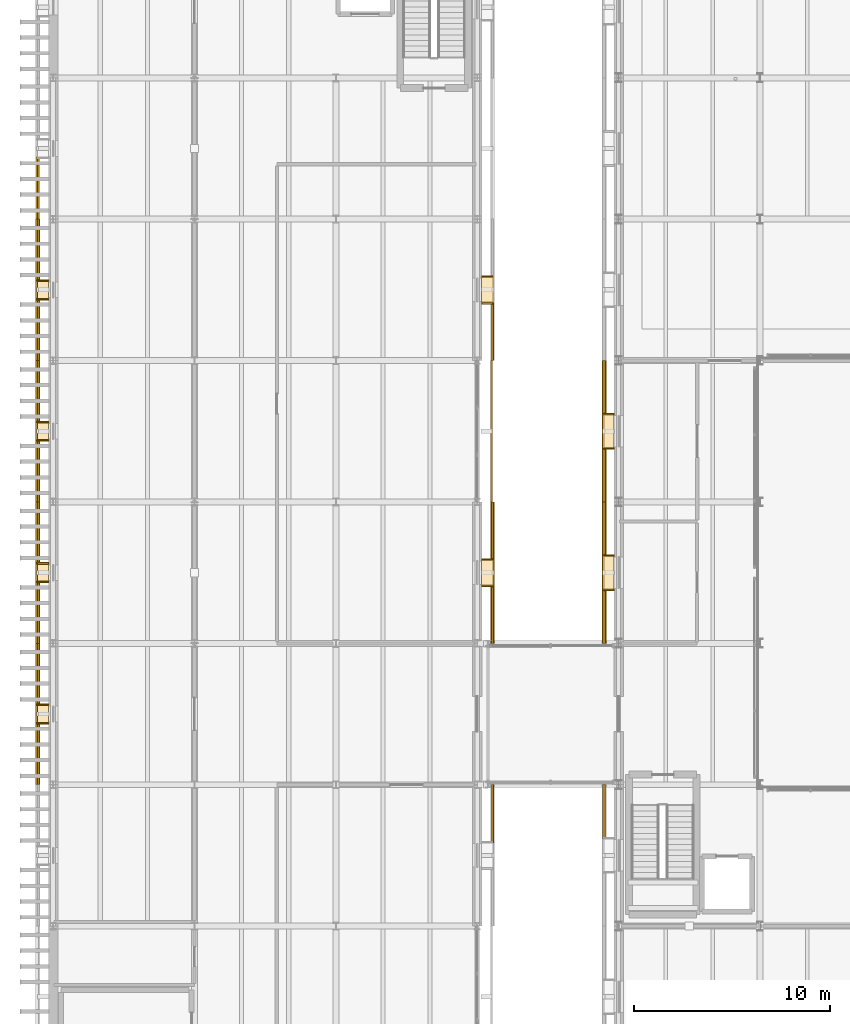
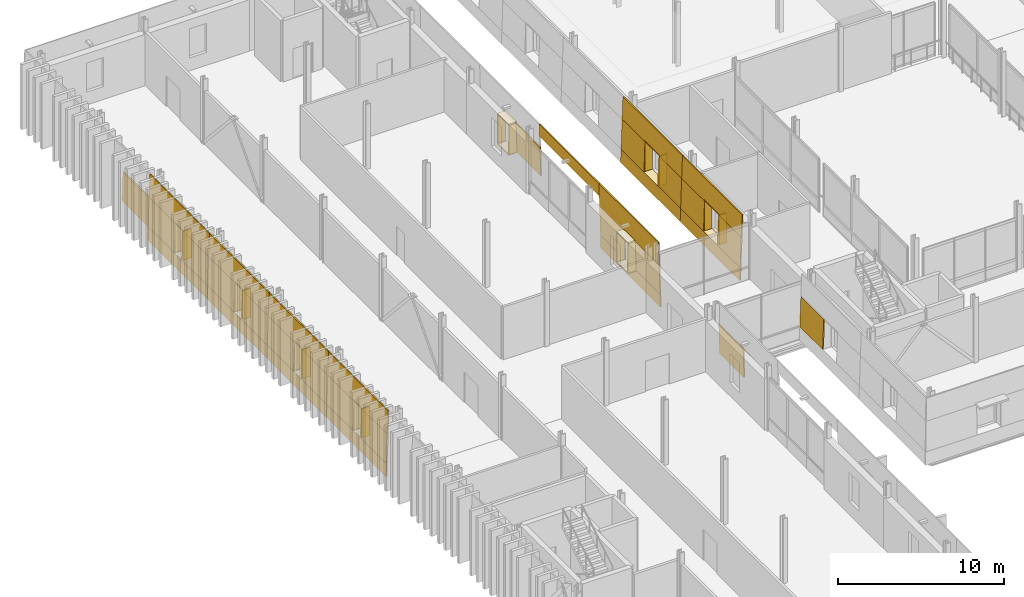
# One storey, part 108 of 121: 65 coverings.
"""IFC4 building model written with IfcOpenShell, lengths in metres."""

import ifcopenshell
import ifcopenshell.guid

model = None  # the IFC model being written
_history = None  # IfcOwnerHistory: only IFC2X3 demands one
_inside = {}  # id of a spatial element -> (the spatial element, [elements in it])
_under = {}  # id of a project, library or spatial element -> (it, [spatial elements below it])
_declared = {}  # id of a project -> (the project, [libraries it declares])
_typed = {}  # id of a type object -> (the type object, [elements of that type])
_made_of = {}  # id of a material, layer set ... -> (it, [elements and type objects made of it])


def new_model(schema):
    """Start an empty IFC model of exactly this schema.

    Asked for "IFC4X3", IfcOpenShell would pick the latest addendum, in which some entities
    have other attributes; the version numbers below select the first issue.
    IFC2X3 requires an IfcOwnerHistory on every rooted entity: one is made here for all.
    """
    global model, _history
    if schema == "IFC4X3":
        model = ifcopenshell.file(schema_version=(4, 3, 0, 0))
    else:
        model = ifcopenshell.file(schema=schema)
    _inside.clear()
    _under.clear()
    _declared.clear()
    _typed.clear()
    _made_of.clear()
    _history = None
    if model.schema == "IFC2X3":
        org = make("IfcOrganization", Name="unknown")
        user = make(
            "IfcPersonAndOrganization",
            ThePerson=make("IfcPerson", FamilyName="unknown"),
            TheOrganization=org,
        )
        app = make(
            "IfcApplication",
            ApplicationDeveloper=org,
            Version="unknown",
            ApplicationFullName="unknown",
            ApplicationIdentifier="unknown",
        )
        _history = make(
            "IfcOwnerHistory",
            OwningUser=user,
            OwningApplication=app,
            ChangeAction="ADDED",
            CreationDate=0,
        )
    return model


def make(cls, **values):
    """One entity of the class cls with the attributes given. An attribute that is None is left unset."""
    return model.create_entity(
        cls, **{name: value for name, value in values.items() if value is not None}
    )


def rooted(cls, **values):
    """An entity with a GlobalId (a new one), such as an element, a storey or a relation."""
    return make(cls, GlobalId=ifcopenshell.guid.new(), OwnerHistory=_history, **values)


def si_unit(unit_type, name, prefix=None):
    """IfcSIUnit, for example si_unit("LENGTHUNIT", "METRE", prefix="MILLI")."""
    return make("IfcSIUnit", UnitType=unit_type, Prefix=prefix, Name=name)


def assignment(units):
    """IfcUnitAssignment: the units of a project."""
    return None if units is None else make("IfcUnitAssignment", Units=units)


def point(xyz):
    """IfcCartesianPoint."""
    return None if xyz is None else make("IfcCartesianPoint", Coordinates=xyz)


def direction(xyz):
    """IfcDirection."""
    return None if xyz is None else make("IfcDirection", DirectionRatios=xyz)


def frame(location, z_axis=None, x_axis=None):
    """IfcAxis2Placement3D, a coordinate frame: its origin and axes. An axis left out is left unset."""
    return make(
        "IfcAxis2Placement3D",
        Location=point(location),
        Axis=direction(z_axis),
        RefDirection=direction(x_axis),
    )


def origin():
    """The frame at (0, 0, 0) with its axes left unset."""
    return frame((0.0, 0.0, 0.0))


def place(relative_to, where):
    """IfcLocalPlacement: puts the frame where relative to a parent placement (None: the world)."""
    return make(
        "IfcLocalPlacement", PlacementRelTo=relative_to, RelativePlacement=where
    )


def context(
    kind, dimensions, precision=None, world=None, true_north=None, identifier=None
):
    """IfcGeometricRepresentationContext, for example the 3D "Model" context."""
    return make(
        "IfcGeometricRepresentationContext",
        ContextIdentifier=identifier,
        ContextType=kind,
        CoordinateSpaceDimension=dimensions,
        Precision=precision,
        WorldCoordinateSystem=world,
        TrueNorth=true_north,
    )


def subcontext(parent, identifier, kind, view, scale=None):
    """IfcGeometricRepresentationSubContext, for example "Body" below "Model"."""
    return make(
        "IfcGeometricRepresentationSubContext",
        ContextIdentifier=identifier,
        ContextType=kind,
        ParentContext=parent,
        TargetScale=scale,
        TargetView=view,
    )


def project(units=None, contexts=None):
    """IfcProject with its units and contexts."""
    return rooted(
        "IfcProject",
        Name="project",
        RepresentationContexts=contexts,
        UnitsInContext=assignment(units),
    )


def spatial(cls, under=None, at=None, **own):
    """A site, building, storey or space (cls), placed at a placement, below another one or the project."""
    s = rooted(cls, ObjectPlacement=at, **own)
    if under is not None:
        _under.setdefault(under.id(), (under, []))[1].append(s)
    return s


def polyline(points):
    """IfcPolyline through the points."""
    return make("IfcPolyline", Points=[point(p) for p in points])


def outline(outer, holes=None, kind="AREA"):
    """IfcArbitraryClosedProfileDef: a profile drawn as a closed curve; with holes, ...WithVoids."""
    if holes is None:
        return make("IfcArbitraryClosedProfileDef", ProfileType=kind, OuterCurve=outer)
    return make(
        "IfcArbitraryProfileDefWithVoids",
        ProfileType=kind,
        OuterCurve=outer,
        InnerCurves=holes,
    )


def extrude(swept, where, along, depth):
    """IfcExtrudedAreaSolid: the profile swept, set in the frame where, extruded along a direction by depth."""
    return make(
        "IfcExtrudedAreaSolid",
        SweptArea=swept,
        Position=where,
        ExtrudedDirection=direction(along),
        Depth=depth,
    )


def shape(context_of_items, identifier, shape_type, items):
    """IfcShapeRepresentation: the items that make up one representation, for example the "Body"."""
    return make(
        "IfcShapeRepresentation",
        ContextOfItems=context_of_items,
        RepresentationIdentifier=identifier,
        RepresentationType=shape_type,
        Items=items,
    )


def material(Name=None, Category=None):
    """IfcMaterial."""
    return make("IfcMaterial", Name=Name, Category=Category)


def layer(
    of_material, thickness, ventilated=None, Name=None, Category=None, Priority=None
):
    """IfcMaterialLayer: one layer of a wall or slab, of a material (None: an air gap)."""
    return make(
        "IfcMaterialLayer",
        Material=of_material,
        LayerThickness=thickness,
        IsVentilated=ventilated,
        Name=Name,
        Category=Category,
        Priority=Priority,
    )


def layer_set(layers, Name=None):
    """IfcMaterialLayerSet."""
    return make("IfcMaterialLayerSet", MaterialLayers=layers, LayerSetName=Name)


def made_of(thing, what):
    """Note that an element or type object is made of a material, layer set ...; save() writes the relation."""
    if what is not None:
        _made_of.setdefault(what.id(), (what, []))[1].append(thing)
    return thing


def type_object(cls, material=None, **own):
    """A type object (cls), such as IfcWallType, which elements share."""
    return made_of(rooted(cls, **own), material)


def element(
    cls,
    number,
    at=None,
    inside=None,
    cuts=None,
    type_object=None,
    material=None,
    context=None,
    identifier="Body",
    shape_type=None,
    held_by="IfcProductDefinitionShape",
    body=None,
    shapes=None,
    **own,
):
    """One element of the class cls, such as IfcWall. Its Tag is "e" and its number.

    at: its placement. inside: the storey or other place that contains it. cuts: it is an
    opening in that element (IfcRelVoidsElement). A single representation is given by context,
    identifier, shape_type and body (its items); several are given by shapes. held_by: the class
    of the entity that holds the representations. save() writes the other relations.
    """
    e = rooted(cls, Tag="e%d" % number, ObjectPlacement=at, **own)
    if body is not None:
        shapes = [shape(context, identifier, shape_type, body)]
    if shapes is not None:
        e.Representation = make(held_by, Representations=shapes)
    if inside is not None:
        _inside.setdefault(inside.id(), (inside, []))[1].append(e)
    if cuts is not None:
        rooted(
            "IfcRelVoidsElement", RelatingBuildingElement=cuts, RelatedOpeningElement=e
        )
    if type_object is not None:
        _typed.setdefault(type_object.id(), (type_object, []))[1].append(e)
    return made_of(e, material)


def aggregate(whole, parts):
    """IfcRelAggregates: a whole, such as a stair, and the parts it consists of."""
    return rooted("IfcRelAggregates", RelatingObject=whole, RelatedObjects=parts)


def save(model, path):
    """Write the relations noted so far, then the file.

    IfcRelAggregates (storeys below a building ...), IfcRelContainedInSpatialStructure (elements
    in a storey), IfcRelDefinesByType, IfcRelAssociatesMaterial and IfcRelDeclares: one each for
    every whole, place, type object, material and project.
    """
    for whole, parts in _under.values():
        aggregate(whole, parts)
    for where, things in _inside.values():
        rooted(
            "IfcRelContainedInSpatialStructure",
            RelatedElements=things,
            RelatingStructure=where,
        )
    for kind, things in _typed.values():
        rooted("IfcRelDefinesByType", RelatedObjects=things, RelatingType=kind)
    for what, things in _made_of.values():
        rooted("IfcRelAssociatesMaterial", RelatedObjects=things, RelatingMaterial=what)
    for by, libraries in _declared.values():
        rooted("IfcRelDeclares", RelatingContext=by, RelatedDefinitions=libraries)
    model.write(path)


model = new_model("IFC4")

# Units and contexts
model_context = context("Model", 3, precision=1e-05, world=origin(), true_north=direction((0.0, 1.0)))
body_context = subcontext(model_context, "Body", "Model", "MODEL_VIEW")
ifc_project = project(units=[si_unit("LENGTHUNIT", "METRE"), si_unit("AREAUNIT", "SQUARE_METRE"), si_unit("VOLUMEUNIT", "CUBIC_METRE"), si_unit("PLANEANGLEUNIT", "RADIAN"), si_unit("MASSUNIT", "GRAM", prefix="KILO")], contexts=[model_context])

# Site, building, storey
site_placement = place(None, origin())
site = spatial("IfcSite", under=ifc_project, at=site_placement, CompositionType="ELEMENT")
building_placement = place(site_placement, origin())
building = spatial("IfcBuilding", under=site, at=building_placement, Name="Narikvali Park Central Library", CompositionType="ELEMENT")
storey_placement = place(building_placement, frame((0.0, 0.0, 5.39990234375)))
storey = spatial("IfcBuildingStorey", under=building, at=storey_placement, Name="L01", CompositionType="ELEMENT", Elevation=5.39990234375)

# Coverings
ifc_material = material(Name="White Honed Limestone Cladding", Category="masonry")
ifc_layer_1 = layer(ifc_material, 0.0849609375, Name="White Honed Limestone Cladding")
ifc_layer_set_1 = layer_set([ifc_layer_1], Name="White Honed Limestone Cladding")
covering_type_1 = type_object("IfcCoveringType", Name="Battered White Limestone Facade Cladding Panel", PredefinedType="CLADDING", material=ifc_layer_set_1)
covering_1_placement = place(storey_placement, frame((27.94189453125, 86.39990234375, 0.0), z_axis=(-0.999434023877, 0.0, 0.033639737186), x_axis=(0.0, -1.0, 0.0)))
element("IfcCovering", 1, at=covering_1_placement, inside=storey, type_object=covering_type_1, Name="V4 L01 W Battered Limestone Spandrel B05", PredefinedType="CLADDING", context=body_context, shape_type="SweptSolid", body=[
    extrude(outline(polyline([(0.0, 0.0), (7.199951171875, 0.0), (7.199951171875, 0.9507334049069504), (0.0, 0.9507334049069504), (0.0, 0.0)])), origin(), (0.0, 0.0, -1.0), 0.0849609375),
])
covering_2_placement = place(storey_placement, frame((28.048095703125, 86.39990234375, 3.150146484375), z_axis=(-0.999436338943, 0.0, 0.0335708862), x_axis=(0.0, -1.0, 0.0)))
element("IfcCovering", 2, at=covering_2_placement, inside=storey, type_object=covering_type_1, Name="V4 L01 W Battered Limestone Lintel B05", PredefinedType="CLADDING", context=body_context, shape_type="SweptSolid", body=[
    extrude(outline(polyline([(0.0, 0.0), (7.199951171875, 0.0), (7.199951171875, 1.6508328539414203), (0.0, 1.6508328539414203), (0.0, 0.0)])), origin(), (0.0, 0.0, -1.0), 0.0849609375),
])
for number, where, z_axis, x_axis, name in (
    (3, (27.973876953125, 86.39990234375, 0.9501953125), (-0.999431408105, 0.0, 0.033717361898), (0.0, -1.0, 0.0), "V4 L01 W Battered Limestone Jamb Pier L B05"),
    (4, (27.973876953125, 81.9599609375, 0.9501953125), (-0.999431408105, 0.0, 0.033717361898), (0.0, -1.0, 0.0), "V4 L01 W Battered Limestone Jamb Pier R B05"),
):
    element("IfcCovering", number, at=place(storey_placement, frame(where, z_axis=z_axis, x_axis=x_axis)), inside=storey, type_object=covering_type_1, Name=name, PredefinedType="CLADDING", context=body_context, shape_type="SweptSolid", body=[
        extrude(outline(polyline([(0.0, 0.0), (2.760009765625, 0.0), (2.760009765625, 2.2012027579225295), (0.0, 2.2012027579225295), (0.0, 0.0)])), origin(), (0.0, 0.0, -1.0), 0.0849609375),
    ])
covering_3_placement = place(storey_placement, frame((27.94189453125, 79.199951171875, 0.0), z_axis=(-0.999434023877, 0.0, 0.033639737186), x_axis=(0.0, -1.0, 0.0)))
element("IfcCovering", 5, at=covering_3_placement, inside=storey, type_object=covering_type_1, Name="V4 L01 W Battered Limestone Spandrel B06", PredefinedType="CLADDING", context=body_context, shape_type="SweptSolid", body=[
    extrude(outline(polyline([(0.0, 0.0), (7.199951171875, 0.0), (7.199951171875, 0.9507334049069504), (0.0, 0.9507334049069504), (0.0, 0.0)])), origin(), (0.0, 0.0, -1.0), 0.0849609375),
])
covering_4_placement = place(storey_placement, frame((28.048095703125, 79.199951171875, 3.150146484375), z_axis=(-0.999436338943, 0.0, 0.0335708862), x_axis=(0.0, -1.0, 0.0)))
element("IfcCovering", 6, at=covering_4_placement, inside=storey, type_object=covering_type_1, Name="V4 L01 W Battered Limestone Lintel B06", PredefinedType="CLADDING", context=body_context, shape_type="SweptSolid", body=[
    extrude(outline(polyline([(0.0, 0.0), (7.199951171875, 0.0), (7.199951171875, 1.6508328539414203), (0.0, 1.6508328539414203), (0.0, 0.0)])), origin(), (0.0, 0.0, -1.0), 0.0849609375),
])
for number, where, z_axis, x_axis, name in (
    (7, (27.973876953125, 79.199951171875, 0.9501953125), (-0.999431408105, 0.0, 0.033717361898), (0.0, -1.0, 0.0), "V4 L01 W Battered Limestone Jamb Pier L B06"),
    (8, (27.973876953125, 74.760009765625, 0.9501953125), (-0.999431408105, 0.0, 0.033717361898), (0.0, -1.0, 0.0), "V4 L01 W Battered Limestone Jamb Pier R B06"),
    (9, (27.973876953125, 64.800048828125, 0.9501953125), (-0.999431408105, 0.0, 0.033717361898), (0.0, -1.0, 0.0), "V4 L01 W Battered Limestone Jamb Pier L B08"),
):
    element("IfcCovering", number, at=place(storey_placement, frame(where, z_axis=z_axis, x_axis=x_axis)), inside=storey, type_object=covering_type_1, Name=name, PredefinedType="CLADDING", context=body_context, shape_type="SweptSolid", body=[
        extrude(outline(polyline([(0.0, 0.0), (2.760009765625, 0.0), (2.760009765625, 2.2012027579225295), (0.0, 2.2012027579225295), (0.0, 0.0)])), origin(), (0.0, 0.0, -1.0), 0.0849609375),
    ])
covering_5_placement = place(storey_placement, frame((22.4599609375, 61.840087890625, 0.9501953125), z_axis=(0.99959725493, 0.0, 0.028378300447), x_axis=(0.0, 1.0, 0.0)))
element("IfcCovering", 10, at=covering_5_placement, inside=storey, type_object=covering_type_1, Name="V5 L01 E Battered Limestone Jamb Pier R B05", PredefinedType="CLADDING", context=body_context, shape_type="SweptSolid", body=[
    extrude(outline(polyline([(0.0, 0.0), (2.9599609375, 0.0), (2.9599609375, 2.150768555182125), (0.0, 2.150768555182125), (0.0, 0.0)])), origin(), (0.0, 0.0, -1.0), 0.0849609375),
])
covering_6_placement = place(storey_placement, frame((22.48681640625, 72.0, 0.0), z_axis=(0.999600837605, 0.0, 0.028251822234), x_axis=(0.0, 1.0, 0.0)))
element("IfcCovering", 11, at=covering_6_placement, inside=storey, type_object=covering_type_1, Name="V5 L01 E Battered Limestone Spandrel B07", PredefinedType="CLADDING", context=body_context, shape_type="SweptSolid", body=[
    extrude(outline(polyline([(0.0, 0.0), (7.199951171875, 0.0), (7.199951171875, 0.9505747461924048), (0.0, 0.9505747461924048), (0.0, 0.0)])), origin(), (0.0, 0.0, -1.0), 0.0849609375),
])
covering_7_placement = place(storey_placement, frame((22.39892578125, 72.0, 3.10009765625), z_axis=(0.99959594144, 0.0, 0.02842452914), x_axis=(0.0, 1.0, 0.0)))
element("IfcCovering", 12, at=covering_7_placement, inside=storey, type_object=covering_type_1, Name="V5 L01 E Battered Limestone Lintel B07", PredefinedType="CLADDING", context=body_context, shape_type="SweptSolid", body=[
    extrude(outline(polyline([(0.0, 0.0), (7.199951171875, 0.0), (7.199951171875, 1.7006383293495888), (0.0, 1.7006383293495888), (0.0, 0.0)])), origin(), (0.0, 0.0, -1.0), 0.0849609375),
])
for number, where, z_axis, x_axis, name in (
    (13, (22.4599609375, 72.0, 0.9501953125), (0.99959725493, 0.0, 0.028378300447), (0.0, 1.0, 0.0), "V5 L01 E Battered Limestone Jamb Pier L B07"),
    (14, (22.4599609375, 76.239990234375, 0.9501953125), (0.99959725493, 0.0, 0.028378300447), (0.0, 1.0, 0.0), "V5 L01 E Battered Limestone Jamb Pier R B07"),
):
    element("IfcCovering", number, at=place(storey_placement, frame(where, z_axis=z_axis, x_axis=x_axis)), inside=storey, type_object=covering_type_1, Name=name, PredefinedType="CLADDING", context=body_context, shape_type="SweptSolid", body=[
        extrude(outline(polyline([(0.0, 0.0), (2.9599609375, 0.0), (2.9599609375, 2.150768555182125), (0.0, 2.150768555182125), (0.0, 0.0)])), origin(), (0.0, 0.0, -1.0), 0.0849609375),
    ])
covering_8_placement = place(storey_placement, frame((22.376708984375, 79.199951171875, 3.880126953125), z_axis=(0.999597048098, 0.0, 0.028385584965), x_axis=(0.0, 1.0, 0.0)))
element("IfcCovering", 15, at=covering_8_placement, inside=storey, type_object=covering_type_1, Name="V5 L01 E Battered Limestone Spandrel Header B08", PredefinedType="CLADDING", context=body_context, shape_type="SweptSolid", body=[
    extrude(outline(polyline([(0.0, 0.0), (7.199951171875, 0.0), (7.199951171875, 0.9202927086973738), (0.0, 0.9202927086973738), (0.0, 0.0)])), origin(), (0.0, 0.0, -1.0), 0.0849609375),
])
covering_9_placement = place(storey_placement, frame((22.4599609375, 86.39990234375, 0.9501953125), z_axis=(0.99959725493, 0.0, 0.028378300447), x_axis=(0.0, 1.0, 0.0)))
element("IfcCovering", 16, at=covering_9_placement, inside=storey, type_object=covering_type_1, Name="V5 L01 E Battered Limestone Jamb Pier L B09", PredefinedType="CLADDING", context=body_context, shape_type="SweptSolid", body=[
    extrude(outline(polyline([(0.0, 0.0), (2.960205078125, 0.0), (2.960205078125, 2.150768555182125), (0.0, 2.150768555182125), (0.0, 0.0)])), origin(), (0.0, 0.0, -1.0), 0.0849609375),
])
covering_10_placement = place(storey_placement, frame((-0.85986328125, 96.760009765625, 0.9501953125), z_axis=(-0.99959725493, 0.0, 0.028378300447), x_axis=(0.0, -1.0, 0.0)))
element("IfcCovering", 17, at=covering_10_placement, inside=storey, type_object=covering_type_1, Name="V5 L01 W Battered Limestone Jamb Pier R B02", PredefinedType="CLADDING", context=body_context, shape_type="SweptSolid", body=[
    extrude(outline(polyline([(0.0, 0.0), (3.159912109375, 0.0), (3.159912109375, 2.150768555182125), (0.0, 2.150768555182125), (0.0, 0.0)])), origin(), (0.0, 0.0, -1.0), 0.0849609375),
])
covering_11_placement = place(storey_placement, frame((-0.88671875, 93.60009765625, 0.0), z_axis=(-0.999600837605, 0.0, 0.028251822234), x_axis=(0.0, -1.0, 0.0)))
element("IfcCovering", 18, at=covering_11_placement, inside=storey, type_object=covering_type_1, Name="V5 L01 W Battered Limestone Spandrel B03", PredefinedType="CLADDING", context=body_context, shape_type="SweptSolid", body=[
    extrude(outline(polyline([(0.0, 0.0), (7.2001953125, 0.0), (7.2001953125, 0.9505747461924048), (0.0, 0.9505747461924048), (0.0, 0.0)])), origin(), (0.0, 0.0, -1.0), 0.0849609375),
])
covering_12_placement = place(storey_placement, frame((-0.798828125, 93.60009765625, 3.10009765625), z_axis=(-0.99959594144, 0.0, 0.02842452914), x_axis=(0.0, -1.0, 0.0)))
element("IfcCovering", 19, at=covering_12_placement, inside=storey, type_object=covering_type_1, Name="V5 L01 W Battered Limestone Lintel B03", PredefinedType="CLADDING", context=body_context, shape_type="SweptSolid", body=[
    extrude(outline(polyline([(0.0, 0.0), (7.2001953125, 0.0), (7.2001953125, 1.7006383293495886), (0.0, 1.7006383293495886), (0.0, 0.0)])), origin(), (0.0, 0.0, -1.0), 0.0849609375),
])
for number, where, z_axis, x_axis, name in (
    (20, (-0.85986328125, 93.60009765625, 0.9501953125), (-0.99959725493, 0.0, 0.028378300447), (0.0, -1.0, 0.0), "V5 L01 W Battered Limestone Jamb Pier L B03"),
    (21, (-0.85986328125, 89.56005859375, 0.9501953125), (-0.99959725493, 0.0, 0.028378300447), (0.0, -1.0, 0.0), "V5 L01 W Battered Limestone Jamb Pier R B03"),
):
    element("IfcCovering", number, at=place(storey_placement, frame(where, z_axis=z_axis, x_axis=x_axis)), inside=storey, type_object=covering_type_1, Name=name, PredefinedType="CLADDING", context=body_context, shape_type="SweptSolid", body=[
        extrude(outline(polyline([(0.0, 0.0), (3.16015625, 0.0), (3.16015625, 2.150768555182125), (0.0, 2.150768555182125), (0.0, 0.0)])), origin(), (0.0, 0.0, -1.0), 0.0849609375),
    ])
covering_13_placement = place(storey_placement, frame((-0.88671875, 86.39990234375, 0.0), z_axis=(-0.999600837605, 0.0, 0.028251822234), x_axis=(0.0, -1.0, 0.0)))
element("IfcCovering", 22, at=covering_13_placement, inside=storey, type_object=covering_type_1, Name="V5 L01 W Battered Limestone Spandrel B04", PredefinedType="CLADDING", context=body_context, shape_type="SweptSolid", body=[
    extrude(outline(polyline([(0.0, 0.0), (7.199951171875, 0.0), (7.199951171875, 0.9505747461924048), (0.0, 0.9505747461924048), (0.0, 0.0)])), origin(), (0.0, 0.0, -1.0), 0.0849609375),
])
covering_14_placement = place(storey_placement, frame((-0.798828125, 86.39990234375, 3.10009765625), z_axis=(-0.99959594144, 0.0, 0.02842452914), x_axis=(0.0, -1.0, 0.0)))
element("IfcCovering", 23, at=covering_14_placement, inside=storey, type_object=covering_type_1, Name="V5 L01 W Battered Limestone Lintel B04", PredefinedType="CLADDING", context=body_context, shape_type="SweptSolid", body=[
    extrude(outline(polyline([(0.0, 0.0), (7.199951171875, 0.0), (7.199951171875, 1.7006383293495888), (0.0, 1.7006383293495888), (0.0, 0.0)])), origin(), (0.0, 0.0, -1.0), 0.0849609375),
])
covering_15_placement = place(storey_placement, frame((-0.85986328125, 86.39990234375, 0.9501953125), z_axis=(-0.99959725493, 0.0, 0.028378300447), x_axis=(0.0, -1.0, 0.0)))
element("IfcCovering", 24, at=covering_15_placement, inside=storey, type_object=covering_type_1, Name="V5 L01 W Battered Limestone Jamb Pier L B04", PredefinedType="CLADDING", context=body_context, shape_type="SweptSolid", body=[
    extrude(outline(polyline([(0.0, 0.0), (3.159912109375, 0.0), (3.159912109375, 2.150768555182125), (0.0, 2.150768555182125), (0.0, 0.0)])), origin(), (0.0, 0.0, -1.0), 0.0849609375),
])
covering_16_placement = place(storey_placement, frame((-0.85986328125, 82.360107421875, 0.9501953125), z_axis=(-0.99959725493, 0.0, 0.028378300447), x_axis=(0.0, -1.0, 0.0)))
element("IfcCovering", 25, at=covering_16_placement, inside=storey, type_object=covering_type_1, Name="V5 L01 W Battered Limestone Jamb Pier R B04", PredefinedType="CLADDING", context=body_context, shape_type="SweptSolid", body=[
    extrude(outline(polyline([(0.0, 0.0), (3.16015625, 0.0), (3.16015625, 2.150768555182125), (0.0, 2.150768555182125), (0.0, 0.0)])), origin(), (0.0, 0.0, -1.0), 0.0849609375),
])
covering_17_placement = place(storey_placement, frame((-0.88671875, 79.199951171875, 0.0), z_axis=(-0.999600837605, 0.0, 0.028251822234), x_axis=(0.0, -1.0, 0.0)))
element("IfcCovering", 26, at=covering_17_placement, inside=storey, type_object=covering_type_1, Name="V5 L01 W Battered Limestone Spandrel B05", PredefinedType="CLADDING", context=body_context, shape_type="SweptSolid", body=[
    extrude(outline(polyline([(0.0, 0.0), (7.199951171875, 0.0), (7.199951171875, 0.9505747461924048), (0.0, 0.9505747461924048), (0.0, 0.0)])), origin(), (0.0, 0.0, -1.0), 0.0849609375),
])
covering_18_placement = place(storey_placement, frame((-0.798828125, 79.199951171875, 3.10009765625), z_axis=(-0.99959594144, 0.0, 0.02842452914), x_axis=(0.0, -1.0, 0.0)))
element("IfcCovering", 27, at=covering_18_placement, inside=storey, type_object=covering_type_1, Name="V5 L01 W Battered Limestone Lintel B05", PredefinedType="CLADDING", context=body_context, shape_type="SweptSolid", body=[
    extrude(outline(polyline([(0.0, 0.0), (7.199951171875, 0.0), (7.199951171875, 1.7006383293495888), (0.0, 1.7006383293495888), (0.0, 0.0)])), origin(), (0.0, 0.0, -1.0), 0.0849609375),
])
for number, where, z_axis, x_axis, name in (
    (28, (-0.85986328125, 79.199951171875, 0.9501953125), (-0.99959725493, 0.0, 0.028378300447), (0.0, -1.0, 0.0), "V5 L01 W Battered Limestone Jamb Pier L B05"),
    (29, (-0.85986328125, 75.159912109375, 0.9501953125), (-0.99959725493, 0.0, 0.028378300447), (0.0, -1.0, 0.0), "V5 L01 W Battered Limestone Jamb Pier R B05"),
):
    element("IfcCovering", number, at=place(storey_placement, frame(where, z_axis=z_axis, x_axis=x_axis)), inside=storey, type_object=covering_type_1, Name=name, PredefinedType="CLADDING", context=body_context, shape_type="SweptSolid", body=[
        extrude(outline(polyline([(0.0, 0.0), (3.159912109375, 0.0), (3.159912109375, 2.150768555182125), (0.0, 2.150768555182125), (0.0, 0.0)])), origin(), (0.0, 0.0, -1.0), 0.0849609375),
    ])
covering_19_placement = place(storey_placement, frame((-0.88671875, 72.0, 0.0), z_axis=(-0.999600837605, 0.0, 0.028251822234), x_axis=(0.0, -1.0, 0.0)))
element("IfcCovering", 30, at=covering_19_placement, inside=storey, type_object=covering_type_1, Name="V5 L01 W Battered Limestone Spandrel B06", PredefinedType="CLADDING", context=body_context, shape_type="SweptSolid", body=[
    extrude(outline(polyline([(0.0, 0.0), (7.199951171875, 0.0), (7.199951171875, 0.9505747461924048), (0.0, 0.9505747461924048), (0.0, 0.0)])), origin(), (0.0, 0.0, -1.0), 0.0849609375),
])
covering_20_placement = place(storey_placement, frame((-0.798828125, 72.0, 3.10009765625), z_axis=(-0.99959594144, 0.0, 0.02842452914), x_axis=(0.0, -1.0, 0.0)))
element("IfcCovering", 31, at=covering_20_placement, inside=storey, type_object=covering_type_1, Name="V5 L01 W Battered Limestone Lintel B06", PredefinedType="CLADDING", context=body_context, shape_type="SweptSolid", body=[
    extrude(outline(polyline([(0.0, 0.0), (7.199951171875, 0.0), (7.199951171875, 1.7006383293495888), (0.0, 1.7006383293495888), (0.0, 0.0)])), origin(), (0.0, 0.0, -1.0), 0.0849609375),
])
for number, where, z_axis, x_axis, name in (
    (32, (-0.85986328125, 72.0, 0.9501953125), (-0.99959725493, 0.0, 0.028378300447), (0.0, -1.0, 0.0), "V5 L01 W Battered Limestone Jamb Pier L B06"),
    (33, (-0.85986328125, 67.9599609375, 0.9501953125), (-0.99959725493, 0.0, 0.028378300447), (0.0, -1.0, 0.0), "V5 L01 W Battered Limestone Jamb Pier R B06"),
):
    element("IfcCovering", number, at=place(storey_placement, frame(where, z_axis=z_axis, x_axis=x_axis)), inside=storey, type_object=covering_type_1, Name=name, PredefinedType="CLADDING", context=body_context, shape_type="SweptSolid", body=[
        extrude(outline(polyline([(0.0, 0.0), (3.159912109375, 0.0), (3.159912109375, 2.150768555182125), (0.0, 2.150768555182125), (0.0, 0.0)])), origin(), (0.0, 0.0, -1.0), 0.0849609375),
    ])
ifc_layer_2 = layer(ifc_material, 0.080078125, Name="White Honed Limestone Cladding")
ifc_layer_set_2 = layer_set([ifc_layer_2], Name="White Honed Limestone Cladding")
covering_type_2 = type_object("IfcCoveringType", Name="Deep Carved White Limestone Window Reveal", PredefinedType="CLADDING", material=ifc_layer_set_2)
covering_21_placement = place(storey_placement, frame((0.0, 0.0, 3.150146484375)))
element("IfcCovering", 34, at=covering_21_placement, inside=storey, type_object=covering_type_2, Name="Deep Stone Reveal Head V4-RVL-L01-W-B05", PredefinedType="CLADDING", context=body_context, shape_type="SweptSolid", body=[
    extrude(outline(polyline([(28.574951171875, 83.679931640625), (28.574951171875, 81.919921875), (28.048095703125, 81.919921875), (28.048095703125, 83.679931640625), (28.574951171875, 83.679931640625)])), origin(), (0.0, 0.0, 1.0), 0.079833984375),
])
covering_22_placement = place(storey_placement, frame((0.0, 0.0, 0.8701171875)))
element("IfcCovering", 35, at=covering_22_placement, inside=storey, type_object=covering_type_2, Name="Deep Stone Reveal Sill V4-RVL-L01-W-B05", PredefinedType="CLADDING", context=body_context, shape_type="SweptSolid", body=[
    extrude(outline(polyline([(28.574951171875, 83.679931640625), (28.574951171875, 81.919921875), (27.973876953125, 81.919921875), (27.973876953125, 83.679931640625), (28.574951171875, 83.679931640625)])), origin(), (0.0, 0.0, 1.0), 0.080078125),
])
covering_23_placement = place(storey_placement, frame((0.0, 0.0, 0.9501953125)))
element("IfcCovering", 36, at=covering_23_placement, inside=storey, type_object=covering_type_2, Name="Deep Stone Reveal Jamb L V4-RVL-L01-W-B05", PredefinedType="CLADDING", context=body_context, shape_type="SweptSolid", body=[
    extrude(outline(polyline([(28.574951171875, 83.719970703125), (28.574951171875, 83.639892578125), (28.048095703125, 83.639892578125), (28.048095703125, 83.719970703125), (28.574951171875, 83.719970703125)])), origin(), (0.0, 0.0, 1.0), 2.199951171875),
])
covering_24_placement = place(storey_placement, frame((0.0, 0.0, 0.9501953125)))
element("IfcCovering", 37, at=covering_24_placement, inside=storey, type_object=covering_type_2, Name="Deep Stone Reveal Jamb R V4-RVL-L01-W-B05", PredefinedType="CLADDING", context=body_context, shape_type="SweptSolid", body=[
    extrude(outline(polyline([(28.574951171875, 81.9599609375), (28.574951171875, 81.8798828125), (28.048095703125, 81.8798828125), (28.048095703125, 81.9599609375), (28.574951171875, 81.9599609375)])), origin(), (0.0, 0.0, 1.0), 2.199951171875),
])
covering_25_placement = place(storey_placement, frame((0.0, 0.0, 3.150146484375)))
element("IfcCovering", 38, at=covering_25_placement, inside=storey, type_object=covering_type_2, Name="Deep Stone Reveal Head V4-RVL-L01-W-B06", PredefinedType="CLADDING", context=body_context, shape_type="SweptSolid", body=[
    extrude(outline(polyline([(28.574951171875, 76.47998046875), (28.574951171875, 74.719970703125), (28.048095703125, 74.719970703125), (28.048095703125, 76.47998046875), (28.574951171875, 76.47998046875)])), origin(), (0.0, 0.0, 1.0), 0.079833984375),
])
covering_26_placement = place(storey_placement, frame((0.0, 0.0, 0.8701171875)))
element("IfcCovering", 39, at=covering_26_placement, inside=storey, type_object=covering_type_2, Name="Deep Stone Reveal Sill V4-RVL-L01-W-B06", PredefinedType="CLADDING", context=body_context, shape_type="SweptSolid", body=[
    extrude(outline(polyline([(28.574951171875, 76.47998046875), (28.574951171875, 74.719970703125), (27.973876953125, 74.719970703125), (27.973876953125, 76.47998046875), (28.574951171875, 76.47998046875)])), origin(), (0.0, 0.0, 1.0), 0.080078125),
])
covering_27_placement = place(storey_placement, frame((0.0, 0.0, 0.9501953125)))
element("IfcCovering", 40, at=covering_27_placement, inside=storey, type_object=covering_type_2, Name="Deep Stone Reveal Jamb L V4-RVL-L01-W-B06", PredefinedType="CLADDING", context=body_context, shape_type="SweptSolid", body=[
    extrude(outline(polyline([(28.574951171875, 76.52001953125), (28.574951171875, 76.43994140625), (28.048095703125, 76.43994140625), (28.048095703125, 76.52001953125), (28.574951171875, 76.52001953125)])), origin(), (0.0, 0.0, 1.0), 2.199951171875),
])
covering_28_placement = place(storey_placement, frame((0.0, 0.0, 0.9501953125)))
element("IfcCovering", 41, at=covering_28_placement, inside=storey, type_object=covering_type_2, Name="Deep Stone Reveal Jamb R V4-RVL-L01-W-B06", PredefinedType="CLADDING", context=body_context, shape_type="SweptSolid", body=[
    extrude(outline(polyline([(28.574951171875, 74.760009765625), (28.574951171875, 74.679931640625), (28.048095703125, 74.679931640625), (28.048095703125, 74.760009765625), (28.574951171875, 74.760009765625)])), origin(), (0.0, 0.0, 1.0), 2.199951171875),
])
covering_29_placement = place(storey_placement, frame((0.0, 0.0, 3.10009765625)))
element("IfcCovering", 42, at=covering_29_placement, inside=storey, type_object=covering_type_2, Name="Deep Stone Reveal Head V5-RVL-L01-E-B07", PredefinedType="CLADDING", context=body_context, shape_type="SweptSolid", body=[
    extrude(outline(polyline([(21.824951171875, 74.919921875), (21.824951171875, 76.280029296875), (22.39892578125, 76.280029296875), (22.39892578125, 74.919921875), (21.824951171875, 74.919921875)])), origin(), (0.0, 0.0, 1.0), 0.080078125),
])
covering_30_placement = place(storey_placement, frame((0.0, 0.0, 0.8701171875)))
element("IfcCovering", 43, at=covering_30_placement, inside=storey, type_object=covering_type_2, Name="Deep Stone Reveal Sill V5-RVL-L01-E-B07", PredefinedType="CLADDING", context=body_context, shape_type="SweptSolid", body=[
    extrude(outline(polyline([(21.824951171875, 74.919921875), (21.824951171875, 76.280029296875), (22.4599609375, 76.280029296875), (22.4599609375, 74.919921875), (21.824951171875, 74.919921875)])), origin(), (0.0, 0.0, 1.0), 0.080078125),
])
covering_31_placement = place(storey_placement, frame((0.0, 0.0, 0.9501953125)))
element("IfcCovering", 44, at=covering_31_placement, inside=storey, type_object=covering_type_2, Name="Deep Stone Reveal Jamb L V5-RVL-L01-E-B07", PredefinedType="CLADDING", context=body_context, shape_type="SweptSolid", body=[
    extrude(outline(polyline([(21.824951171875, 74.8798828125), (21.824951171875, 74.9599609375), (22.39892578125, 74.9599609375), (22.39892578125, 74.8798828125), (21.824951171875, 74.8798828125)])), origin(), (0.0, 0.0, 1.0), 2.14990234375),
])
covering_32_placement = place(storey_placement, frame((0.0, 0.0, 0.9501953125)))
element("IfcCovering", 45, at=covering_32_placement, inside=storey, type_object=covering_type_2, Name="Deep Stone Reveal Jamb R V5-RVL-L01-E-B07", PredefinedType="CLADDING", context=body_context, shape_type="SweptSolid", body=[
    extrude(outline(polyline([(21.824951171875, 76.239990234375), (21.824951171875, 76.320068359375), (22.39892578125, 76.320068359375), (22.39892578125, 76.239990234375), (21.824951171875, 76.239990234375)])), origin(), (0.0, 0.0, 1.0), 2.14990234375),
])
covering_33_placement = place(storey_placement, frame((0.0, 0.0, 3.10009765625)))
element("IfcCovering", 46, at=covering_33_placement, inside=storey, type_object=covering_type_2, Name="Deep Stone Reveal Head V5-RVL-L01-E-B09", PredefinedType="CLADDING", context=body_context, shape_type="SweptSolid", body=[
    extrude(outline(polyline([(21.824951171875, 89.320068359375), (21.824951171875, 90.679931640625), (22.39892578125, 90.679931640625), (22.39892578125, 89.320068359375), (21.824951171875, 89.320068359375)])), origin(), (0.0, 0.0, 1.0), 0.080078125),
])
covering_34_placement = place(storey_placement, frame((0.0, 0.0, 0.8701171875)))
element("IfcCovering", 47, at=covering_34_placement, inside=storey, type_object=covering_type_2, Name="Deep Stone Reveal Sill V5-RVL-L01-E-B09", PredefinedType="CLADDING", context=body_context, shape_type="SweptSolid", body=[
    extrude(outline(polyline([(21.824951171875, 89.320068359375), (21.824951171875, 90.679931640625), (22.4599609375, 90.679931640625), (22.4599609375, 89.320068359375), (21.824951171875, 89.320068359375)])), origin(), (0.0, 0.0, 1.0), 0.080078125),
])
covering_35_placement = place(storey_placement, frame((0.0, 0.0, 0.9501953125)))
element("IfcCovering", 48, at=covering_35_placement, inside=storey, type_object=covering_type_2, Name="Deep Stone Reveal Jamb L V5-RVL-L01-E-B09", PredefinedType="CLADDING", context=body_context, shape_type="SweptSolid", body=[
    extrude(outline(polyline([(21.824951171875, 89.280029296875), (21.824951171875, 89.360107421875), (22.39892578125, 89.360107421875), (22.39892578125, 89.280029296875), (21.824951171875, 89.280029296875)])), origin(), (0.0, 0.0, 1.0), 2.14990234375),
])
covering_36_placement = place(storey_placement, frame((0.0, 0.0, 0.9501953125)))
element("IfcCovering", 49, at=covering_36_placement, inside=storey, type_object=covering_type_2, Name="Deep Stone Reveal Jamb R V5-RVL-L01-E-B09", PredefinedType="CLADDING", context=body_context, shape_type="SweptSolid", body=[
    extrude(outline(polyline([(21.824951171875, 90.639892578125), (21.824951171875, 90.719970703125), (22.39892578125, 90.719970703125), (22.39892578125, 90.639892578125), (21.824951171875, 90.639892578125)])), origin(), (0.0, 0.0, 1.0), 2.14990234375),
])
covering_37_placement = place(storey_placement, frame((0.0, 0.0, 3.10009765625)))
element("IfcCovering", 50, at=covering_37_placement, inside=storey, type_object=covering_type_2, Name="Deep Stone Reveal Head V5-RVL-L01-W-B03", PredefinedType="CLADDING", context=body_context, shape_type="SweptSolid", body=[
    extrude(outline(polyline([(-0.22509765625, 90.47998046875), (-0.22509765625, 89.52001953125), (-0.798828125, 89.52001953125), (-0.798828125, 90.47998046875), (-0.22509765625, 90.47998046875)])), origin(), (0.0, 0.0, 1.0), 0.080078125),
])
covering_38_placement = place(storey_placement, frame((0.0, 0.0, 0.8701171875)))
element("IfcCovering", 51, at=covering_38_placement, inside=storey, type_object=covering_type_2, Name="Deep Stone Reveal Sill V5-RVL-L01-W-B03", PredefinedType="CLADDING", context=body_context, shape_type="SweptSolid", body=[
    extrude(outline(polyline([(-0.22509765625, 90.47998046875), (-0.22509765625, 89.52001953125), (-0.85986328125, 89.52001953125), (-0.85986328125, 90.47998046875), (-0.22509765625, 90.47998046875)])), origin(), (0.0, 0.0, 1.0), 0.080078125),
])
covering_39_placement = place(storey_placement, frame((0.0, 0.0, 0.9501953125)))
element("IfcCovering", 52, at=covering_39_placement, inside=storey, type_object=covering_type_2, Name="Deep Stone Reveal Jamb L V5-RVL-L01-W-B03", PredefinedType="CLADDING", context=body_context, shape_type="SweptSolid", body=[
    extrude(outline(polyline([(-0.22509765625, 90.52001953125), (-0.22509765625, 90.43994140625), (-0.798828125, 90.43994140625), (-0.798828125, 90.52001953125), (-0.22509765625, 90.52001953125)])), origin(), (0.0, 0.0, 1.0), 2.14990234375),
])
covering_40_placement = place(storey_placement, frame((0.0, 0.0, 0.9501953125)))
element("IfcCovering", 53, at=covering_40_placement, inside=storey, type_object=covering_type_2, Name="Deep Stone Reveal Jamb R V5-RVL-L01-W-B03", PredefinedType="CLADDING", context=body_context, shape_type="SweptSolid", body=[
    extrude(outline(polyline([(-0.22509765625, 89.56005859375), (-0.22509765625, 89.47998046875), (-0.798828125, 89.47998046875), (-0.798828125, 89.56005859375), (-0.22509765625, 89.56005859375)])), origin(), (0.0, 0.0, 1.0), 2.14990234375),
])
covering_41_placement = place(storey_placement, frame((0.0, 0.0, 3.10009765625)))
element("IfcCovering", 54, at=covering_41_placement, inside=storey, type_object=covering_type_2, Name="Deep Stone Reveal Head V5-RVL-L01-W-B04", PredefinedType="CLADDING", context=body_context, shape_type="SweptSolid", body=[
    extrude(outline(polyline([(-0.22509765625, 83.280029296875), (-0.22509765625, 82.320068359375), (-0.798828125, 82.320068359375), (-0.798828125, 83.280029296875), (-0.22509765625, 83.280029296875)])), origin(), (0.0, 0.0, 1.0), 0.080078125),
])
covering_42_placement = place(storey_placement, frame((0.0, 0.0, 0.8701171875)))
element("IfcCovering", 55, at=covering_42_placement, inside=storey, type_object=covering_type_2, Name="Deep Stone Reveal Sill V5-RVL-L01-W-B04", PredefinedType="CLADDING", context=body_context, shape_type="SweptSolid", body=[
    extrude(outline(polyline([(-0.22509765625, 83.280029296875), (-0.22509765625, 82.320068359375), (-0.85986328125, 82.320068359375), (-0.85986328125, 83.280029296875), (-0.22509765625, 83.280029296875)])), origin(), (0.0, 0.0, 1.0), 0.080078125),
])
covering_43_placement = place(storey_placement, frame((0.0, 0.0, 0.9501953125)))
element("IfcCovering", 56, at=covering_43_placement, inside=storey, type_object=covering_type_2, Name="Deep Stone Reveal Jamb L V5-RVL-L01-W-B04", PredefinedType="CLADDING", context=body_context, shape_type="SweptSolid", body=[
    extrude(outline(polyline([(-0.22509765625, 83.320068359375), (-0.22509765625, 83.239990234375), (-0.798828125, 83.239990234375), (-0.798828125, 83.320068359375), (-0.22509765625, 83.320068359375)])), origin(), (0.0, 0.0, 1.0), 2.14990234375),
])
covering_44_placement = place(storey_placement, frame((0.0, 0.0, 0.9501953125)))
element("IfcCovering", 57, at=covering_44_placement, inside=storey, type_object=covering_type_2, Name="Deep Stone Reveal Jamb R V5-RVL-L01-W-B04", PredefinedType="CLADDING", context=body_context, shape_type="SweptSolid", body=[
    extrude(outline(polyline([(-0.22509765625, 82.360107421875), (-0.22509765625, 82.280029296875), (-0.798828125, 82.280029296875), (-0.798828125, 82.360107421875), (-0.22509765625, 82.360107421875)])), origin(), (0.0, 0.0, 1.0), 2.14990234375),
])
covering_45_placement = place(storey_placement, frame((0.0, 0.0, 3.10009765625)))
element("IfcCovering", 58, at=covering_45_placement, inside=storey, type_object=covering_type_2, Name="Deep Stone Reveal Head V5-RVL-L01-W-B05", PredefinedType="CLADDING", context=body_context, shape_type="SweptSolid", body=[
    extrude(outline(polyline([(-0.22509765625, 76.080078125), (-0.22509765625, 75.1201171875), (-0.798828125, 75.1201171875), (-0.798828125, 76.080078125), (-0.22509765625, 76.080078125)])), origin(), (0.0, 0.0, 1.0), 0.080078125),
])
covering_46_placement = place(storey_placement, frame((0.0, 0.0, 0.8701171875)))
element("IfcCovering", 59, at=covering_46_placement, inside=storey, type_object=covering_type_2, Name="Deep Stone Reveal Sill V5-RVL-L01-W-B05", PredefinedType="CLADDING", context=body_context, shape_type="SweptSolid", body=[
    extrude(outline(polyline([(-0.22509765625, 76.080078125), (-0.22509765625, 75.1201171875), (-0.85986328125, 75.1201171875), (-0.85986328125, 76.080078125), (-0.22509765625, 76.080078125)])), origin(), (0.0, 0.0, 1.0), 0.080078125),
])
covering_47_placement = place(storey_placement, frame((0.0, 0.0, 0.9501953125)))
element("IfcCovering", 60, at=covering_47_placement, inside=storey, type_object=covering_type_2, Name="Deep Stone Reveal Jamb L V5-RVL-L01-W-B05", PredefinedType="CLADDING", context=body_context, shape_type="SweptSolid", body=[
    extrude(outline(polyline([(-0.22509765625, 76.1201171875), (-0.22509765625, 76.0400390625), (-0.798828125, 76.0400390625), (-0.798828125, 76.1201171875), (-0.22509765625, 76.1201171875)])), origin(), (0.0, 0.0, 1.0), 2.14990234375),
])
covering_48_placement = place(storey_placement, frame((0.0, 0.0, 0.9501953125)))
element("IfcCovering", 61, at=covering_48_placement, inside=storey, type_object=covering_type_2, Name="Deep Stone Reveal Jamb R V5-RVL-L01-W-B05", PredefinedType="CLADDING", context=body_context, shape_type="SweptSolid", body=[
    extrude(outline(polyline([(-0.22509765625, 75.159912109375), (-0.22509765625, 75.080078125), (-0.798828125, 75.080078125), (-0.798828125, 75.159912109375), (-0.22509765625, 75.159912109375)])), origin(), (0.0, 0.0, 1.0), 2.14990234375),
])
covering_49_placement = place(storey_placement, frame((0.0, 0.0, 3.10009765625)))
element("IfcCovering", 62, at=covering_49_placement, inside=storey, type_object=covering_type_2, Name="Deep Stone Reveal Head V5-RVL-L01-W-B06", PredefinedType="CLADDING", context=body_context, shape_type="SweptSolid", body=[
    extrude(outline(polyline([(-0.22509765625, 68.8798828125), (-0.22509765625, 67.919921875), (-0.798828125, 67.919921875), (-0.798828125, 68.8798828125), (-0.22509765625, 68.8798828125)])), origin(), (0.0, 0.0, 1.0), 0.080078125),
])
covering_50_placement = place(storey_placement, frame((0.0, 0.0, 0.8701171875)))
element("IfcCovering", 63, at=covering_50_placement, inside=storey, type_object=covering_type_2, Name="Deep Stone Reveal Sill V5-RVL-L01-W-B06", PredefinedType="CLADDING", context=body_context, shape_type="SweptSolid", body=[
    extrude(outline(polyline([(-0.22509765625, 68.8798828125), (-0.22509765625, 67.919921875), (-0.85986328125, 67.919921875), (-0.85986328125, 68.8798828125), (-0.22509765625, 68.8798828125)])), origin(), (0.0, 0.0, 1.0), 0.080078125),
])
covering_51_placement = place(storey_placement, frame((0.0, 0.0, 0.9501953125)))
element("IfcCovering", 64, at=covering_51_placement, inside=storey, type_object=covering_type_2, Name="Deep Stone Reveal Jamb L V5-RVL-L01-W-B06", PredefinedType="CLADDING", context=body_context, shape_type="SweptSolid", body=[
    extrude(outline(polyline([(-0.22509765625, 68.919921875), (-0.22509765625, 68.840087890625), (-0.798828125, 68.840087890625), (-0.798828125, 68.919921875), (-0.22509765625, 68.919921875)])), origin(), (0.0, 0.0, 1.0), 2.14990234375),
])
covering_52_placement = place(storey_placement, frame((0.0, 0.0, 0.9501953125)))
element("IfcCovering", 65, at=covering_52_placement, inside=storey, type_object=covering_type_2, Name="Deep Stone Reveal Jamb R V5-RVL-L01-W-B06", PredefinedType="CLADDING", context=body_context, shape_type="SweptSolid", body=[
    extrude(outline(polyline([(-0.22509765625, 67.9599609375), (-0.22509765625, 67.8798828125), (-0.798828125, 67.8798828125), (-0.798828125, 67.9599609375), (-0.22509765625, 67.9599609375)])), origin(), (0.0, 0.0, 1.0), 2.14990234375),
])

save(model, "model.ifc")
